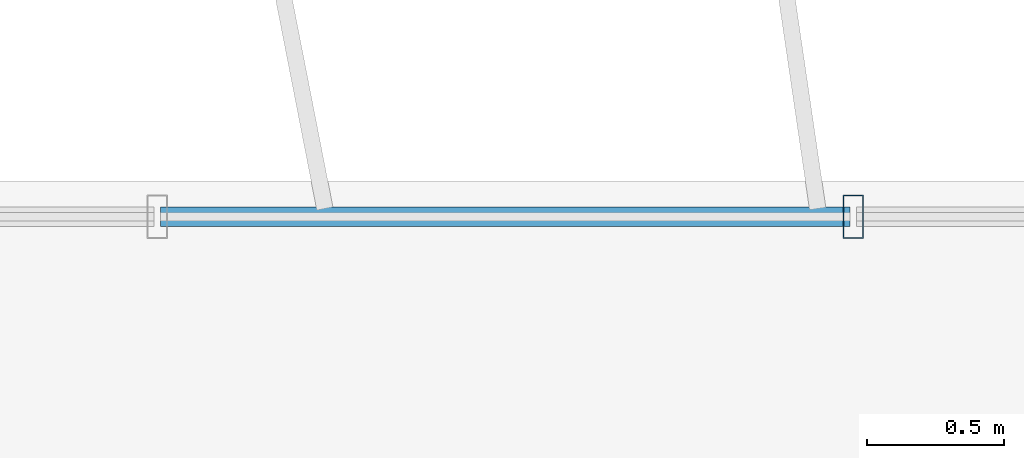
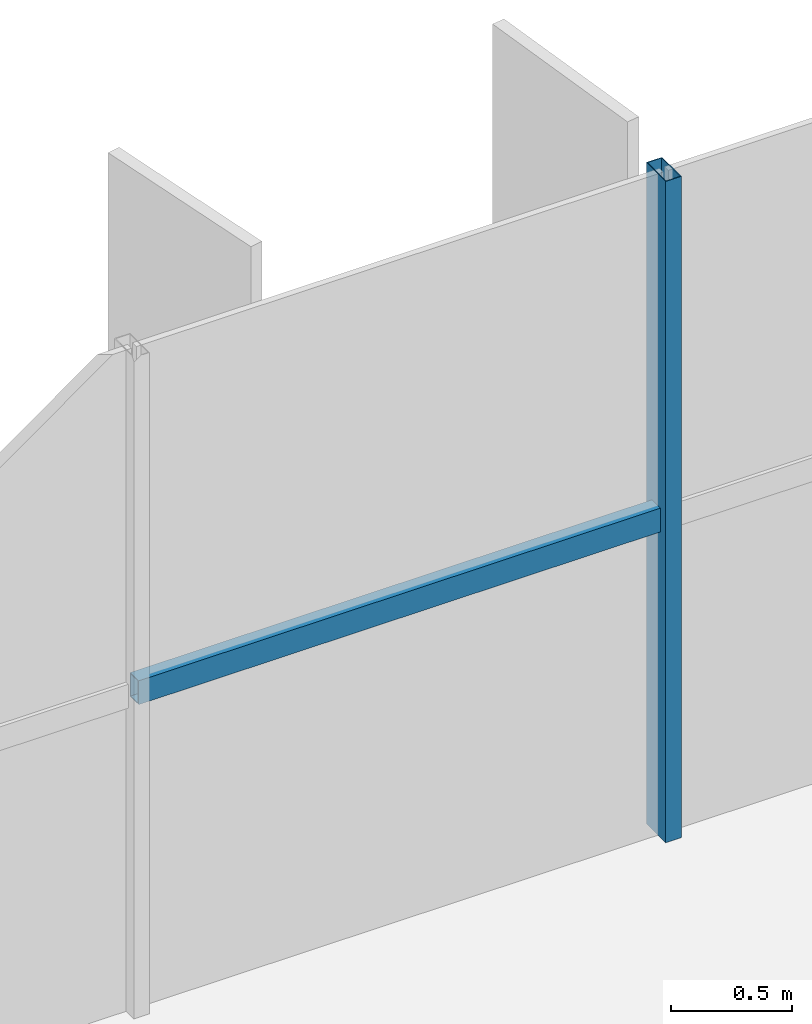
# One storey, part 11 of 25: 2 members, 1 element without a shape of its own.
"""IFC4 building model written with IfcOpenShell, lengths in metres."""

from ifc_helpers import new_model, si_unit, direction, frame, origin, origin_2d, place, context, subcontext, project, spatial, hollow_rectangle, extrude, source, transform, mapped, material, material_profile, profile_set, type_object, element, aggregate, save


model = new_model("IFC4")

# Units and contexts
model_context = context("Model", 3, precision=1e-05, world=origin(), true_north=direction((0.0, 1.0)))
body_context = subcontext(model_context, "Body", "Model", "MODEL_VIEW")
ifc_project = project(units=[si_unit("LENGTHUNIT", "METRE"), si_unit("AREAUNIT", "SQUARE_METRE"), si_unit("VOLUMEUNIT", "CUBIC_METRE"), si_unit("PLANEANGLEUNIT", "RADIAN"), si_unit("MASSUNIT", "GRAM", prefix="KILO")], contexts=[model_context])

# Site, building, storey
site_placement = place(None, origin())
site = spatial("IfcSite", under=ifc_project, at=site_placement, CompositionType="ELEMENT")
building_placement = place(site_placement, origin())
building = spatial("IfcBuilding", under=site, at=building_placement, Name="Trelvane Seafront Commons", CompositionType="ELEMENT")
storey_placement = place(building_placement, frame((0.0, 0.0, 66.699951171875)))
storey = spatial("IfcBuildingStorey", under=building, at=storey_placement, Name="L17", CompositionType="ELEMENT", Elevation=66.699951171875)

# Curtain wall, members
ifc_material = material(Name="Anodised pale-silver aluminium", Category="aluminium")
curtain_wall_type = type_object("IfcCurtainWallType", Name="ARCH-CW2-LOWTOWER", PredefinedType="NOTDEFINED", material=ifc_material)
curtain_wall_placement = place(storey_placement, origin())
curtain_wall = element("IfcCurtainWall", 1, at=curtain_wall_placement, inside=storey, type_object=curtain_wall_type, Name="CW-L17-0041", PredefinedType="NOTDEFINED")
ifc_material_profile_1 = material_profile(ifc_material, hollow_rectangle(XDim=0.074951171875, YDim=0.159912109375, WallThickness=0.00390625, at=origin_2d()), Name="MULL-75x160x4")
ifc_profile_set_1 = profile_set([ifc_material_profile_1], Name="Anodised pale-silver aluminium")
member_type_1 = type_object("IfcMemberType", Name="ARCH-CW-MULL-160", PredefinedType="MULLION", material=ifc_profile_set_1)
shared_shape_1 = source(origin(), body_context, "Body", "SweptSolid", [
    extrude(hollow_rectangle(XDim=0.074951171875, YDim=0.159912109375, WallThickness=0.00390625, at=origin_2d()), origin(), (0.0, 0.0, 1.0), 3.340087890625),
])
member_1_placement = place(storey_placement, frame((35.929443359375, 48.3701171875, 0.0), z_axis=(0.0, 0.0, 1.0), x_axis=(1.0, 0.0, 0.0)))
member_1 = element("IfcMember", 2, at=member_1_placement, type_object=member_type_1, Name="CW-L17-0041-M08", PredefinedType="MULLION", context=body_context, shape_type="MappedRepresentation", body=[
    mapped(shared_shape_1, transform((0.0, 0.0, 0.0), x_axis=(1.0, 0.0, 0.0), y_axis=(0.0, 1.0, 0.0), z_axis=(0.0, 0.0, 1.0), scale=1.0)),
])
ifc_material_profile_2 = material_profile(ifc_material, hollow_rectangle(XDim=0.070068359375, YDim=0.1201171875, WallThickness=0.00390625, at=origin_2d()), Name="TRAN-70x120x4")
ifc_profile_set_2 = profile_set([ifc_material_profile_2], Name="Anodised pale-silver aluminium")
member_type_2 = type_object("IfcMemberType", Name="ARCH-CW-TRAN-120", PredefinedType="USERDEFINED", material=ifc_profile_set_2)
shared_shape_2 = source(origin(), body_context, "Body", "SweptSolid", [
    extrude(hollow_rectangle(XDim=0.070068359375, YDim=0.1201171875, WallThickness=0.00390625, at=origin_2d()), origin(), (0.0, 0.0, 1.0), 2.517333984375),
])
member_2_placement = place(storey_placement, frame((33.400146484375, 48.3701171875, 1.60302734375), z_axis=(1.0, 0.0, 0.0), x_axis=(0.0, 1.0, 0.0)))
member_2 = element("IfcMember", 3, at=member_2_placement, type_object=member_type_2, Name="CW-L17-0041-T07", ObjectType="TRANSOM", PredefinedType="USERDEFINED", context=body_context, shape_type="MappedRepresentation", body=[
    mapped(shared_shape_2, transform((0.0, 0.0, 0.0), x_axis=(1.0, 0.0, 0.0), y_axis=(0.0, 1.0, 0.0), z_axis=(0.0, 0.0, 1.0), scale=1.0)),
])
aggregate(curtain_wall, [member_1, member_2])

save(model, "model.ifc")
